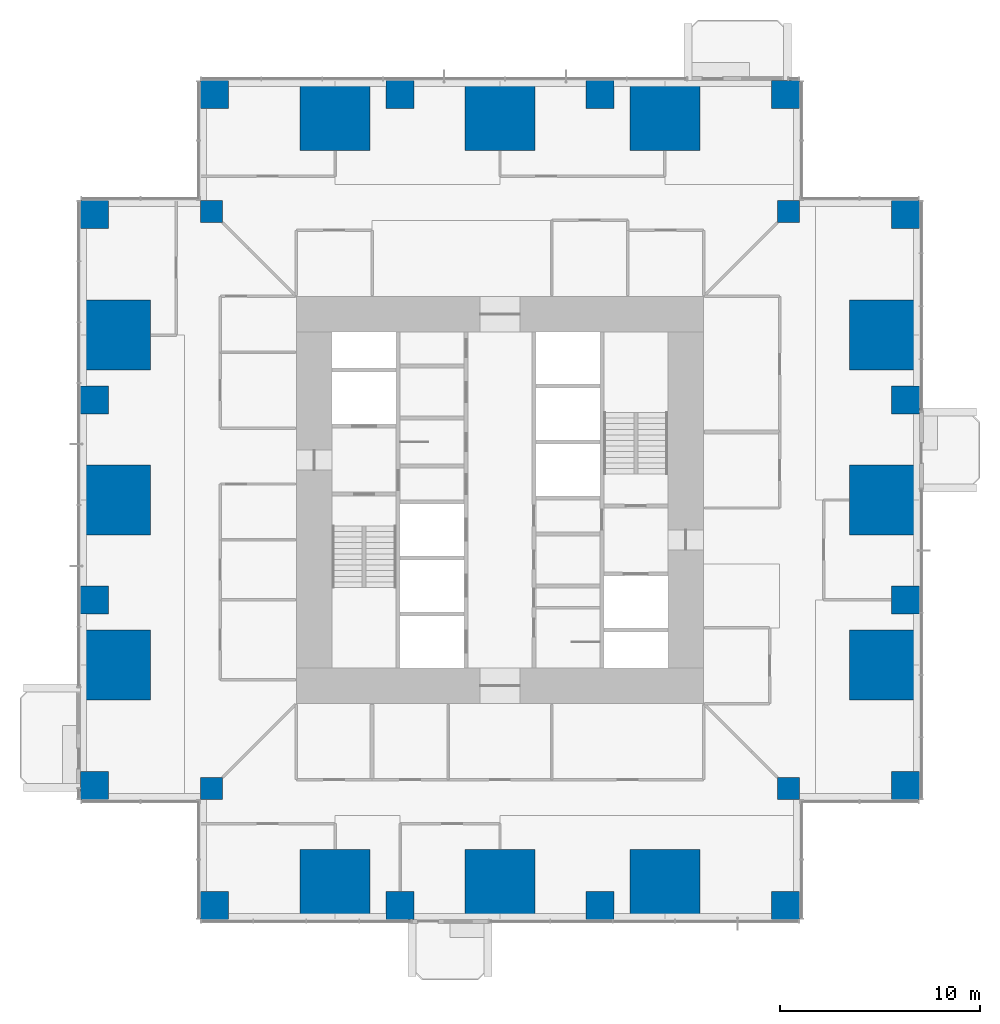
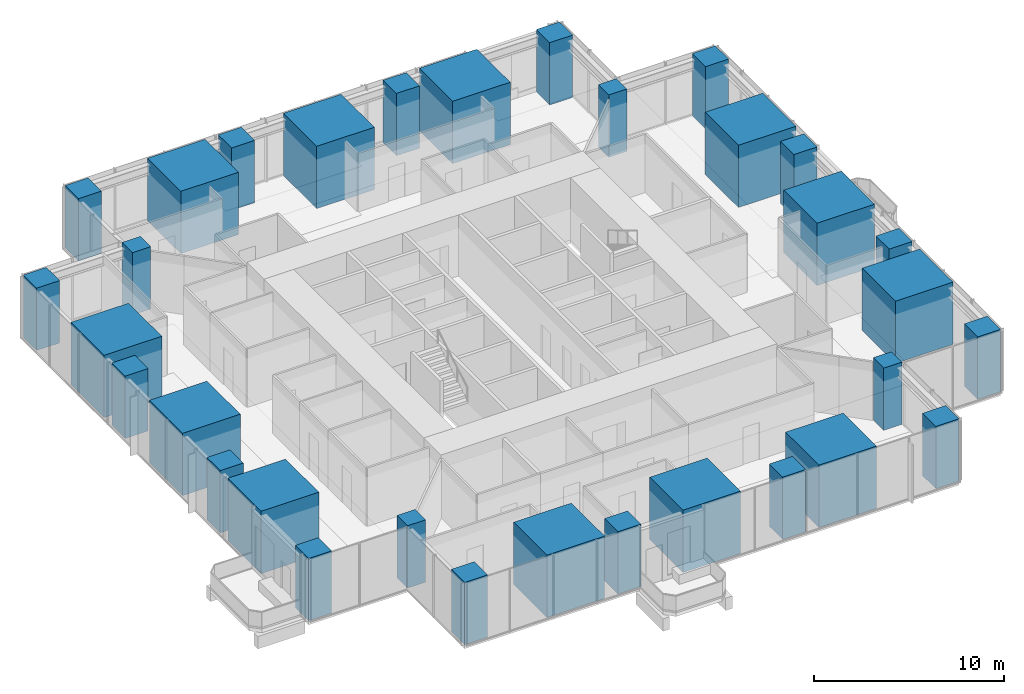
# One storey, part 1 of 17: 32 columns.
"""IFC4 building model written with IfcOpenShell, lengths in metres."""

from ifc_helpers import new_model, si_unit, direction, frame, origin, origin_2d, place, context, subcontext, project, spatial, rectangle, extrude, material, material_profile, profile_set, type_object, element, save


model = new_model("IFC4")

# Units and contexts
model_context = context("Model", 3, precision=1e-05, world=origin(), true_north=direction((0.0, 1.0)))
body_context = subcontext(model_context, "Body", "Model", "MODEL_VIEW")
ifc_project = project(units=[si_unit("LENGTHUNIT", "METRE"), si_unit("AREAUNIT", "SQUARE_METRE"), si_unit("VOLUMEUNIT", "CUBIC_METRE"), si_unit("PLANEANGLEUNIT", "RADIAN"), si_unit("MASSUNIT", "GRAM", prefix="KILO")], contexts=[model_context])

# Site, building, storey
site_placement = place(None, origin())
site = spatial("IfcSite", under=ifc_project, at=site_placement, CompositionType="ELEMENT")
building_placement = place(site_placement, origin())
building = spatial("IfcBuilding", under=site, at=building_placement, Name="Svetlomir Tower", CompositionType="ELEMENT")
storey_placement = place(building_placement, frame((0.0, 0.0, 70.5)))
storey = spatial("IfcBuildingStorey", under=building, at=storey_placement, Name="L16", CompositionType="ELEMENT", Elevation=70.5)

# Columns
ifc_material_1 = material(Name="Concrete C60/75", Category="concrete")
ifc_material_profile_1 = material_profile(ifc_material_1, rectangle(XDim=1.10009765625, YDim=1.10009765625, at=origin_2d()), Name="RC 1100x1100")
ifc_profile_set_1 = profile_set([ifc_material_profile_1], Name="Concrete C60/75")
column_type_1 = type_object("IfcColumnType", Name="COLUMN RC 1100x1100", PredefinedType="COLUMN", material=ifc_profile_set_1)
for number, where, z_axis, x_axis, name in (
    (1, (6.550048828125, 6.550048828125, 0.0), (0.0, 0.0, 1.0), (1.0, 0.0, 0.0), "Column 6/6 L16"),
    (2, (35.449951171875, 6.550048828125, 0.0), (0.0, 0.0, 1.0), (1.0, 0.0, 0.0), "Column 36/6 L16"),
    (3, (6.550048828125, 35.449951171875, 0.0), (0.0, 0.0, 1.0), (1.0, 0.0, 0.0), "Column 6/36 L16"),
    (4, (35.449951171875, 35.449951171875, 0.0), (0.0, 0.0, 1.0), (1.0, 0.0, 0.0), "Column 36/36 L16"),
):
    element("IfcColumn", number, at=place(storey_placement, frame(where, z_axis=z_axis, x_axis=x_axis)), inside=storey, type_object=column_type_1, Name=name, PredefinedType="COLUMN", context=body_context, shape_type="SweptSolid", body=[
        extrude(rectangle(XDim=1.10009765625, YDim=1.10009765625, at=origin_2d()), origin(), (0.0, 0.0, 1.0), 4.0),
    ])
ifc_material_2 = material(Name="Concrete C60/75", Category="concrete")
ifc_material_profile_2 = material_profile(ifc_material_2, rectangle(XDim=1.39990234375, YDim=1.39990234375, at=origin_2d()), Name="RC 1400x1400")
ifc_profile_set_2 = profile_set([ifc_material_profile_2], Name="Concrete C60/75")
column_type_2 = type_object("IfcColumnType", Name="COLUMN RC 1400x1400", PredefinedType="COLUMN", material=ifc_profile_set_2)
for number, where, z_axis, x_axis, name in (
    (5, (6.699951171875, 0.699951171875, 0.0), (0.0, 0.0, 1.0), (1.0, 0.0, 0.0), "Column 6/0 L16"),
    (6, (16.0, 0.699951171875, 0.0), (0.0, 0.0, 1.0), (1.0, 0.0, 0.0), "Column 16/0 L16"),
    (7, (26.0, 0.699951171875, 0.0), (0.0, 0.0, 1.0), (1.0, 0.0, 0.0), "Column 26/0 L16"),
    (8, (35.300048828125, 0.699951171875, 0.0), (0.0, 0.0, 1.0), (1.0, 0.0, 0.0), "Column 36/0 L16"),
    (9, (0.699951171875, 6.699951171875, 0.0), (0.0, 0.0, 1.0), (1.0, 0.0, 0.0), "Column 0/6 L16"),
    (10, (41.300048828125, 6.699951171875, 0.0), (0.0, 0.0, 1.0), (1.0, 0.0, 0.0), "Column 42/6 L16"),
    (11, (0.699951171875, 16.0, 0.0), (0.0, 0.0, 1.0), (1.0, 0.0, 0.0), "Column 0/16 L16"),
    (12, (41.300048828125, 16.0, 0.0), (0.0, 0.0, 1.0), (1.0, 0.0, 0.0), "Column 42/16 L16"),
    (13, (0.699951171875, 26.0, 0.0), (0.0, 0.0, 1.0), (1.0, 0.0, 0.0), "Column 0/26 L16"),
    (14, (41.300048828125, 26.0, 0.0), (0.0, 0.0, 1.0), (1.0, 0.0, 0.0), "Column 42/26 L16"),
    (15, (0.699951171875, 35.300048828125, 0.0), (0.0, 0.0, 1.0), (1.0, 0.0, 0.0), "Column 0/36 L16"),
    (16, (41.300048828125, 35.300048828125, 0.0), (0.0, 0.0, 1.0), (1.0, 0.0, 0.0), "Column 42/36 L16"),
    (17, (6.699951171875, 41.300048828125, 0.0), (0.0, 0.0, 1.0), (1.0, 0.0, 0.0), "Column 6/42 L16"),
    (18, (16.0, 41.300048828125, 0.0), (0.0, 0.0, 1.0), (1.0, 0.0, 0.0), "Column 16/42 L16"),
    (19, (26.0, 41.300048828125, 0.0), (0.0, 0.0, 1.0), (1.0, 0.0, 0.0), "Column 26/42 L16"),
    (20, (35.300048828125, 41.300048828125, 0.0), (0.0, 0.0, 1.0), (1.0, 0.0, 0.0), "Column 36/42 L16"),
):
    element("IfcColumn", number, at=place(storey_placement, frame(where, z_axis=z_axis, x_axis=x_axis)), inside=storey, type_object=column_type_2, Name=name, PredefinedType="COLUMN", context=body_context, shape_type="SweptSolid", body=[
        extrude(rectangle(XDim=1.39990234375, YDim=1.39990234375, at=origin_2d()), origin(), (0.0, 0.0, 1.0), 4.0),
    ])
ifc_material_3 = material(Name="Concrete C60/75", Category="concrete")
ifc_material_profile_3 = material_profile(ifc_material_3, rectangle(XDim=3.5, YDim=3.5, at=origin_2d()), Name="RC 3500x3500")
ifc_profile_set_3 = profile_set([ifc_material_profile_3], Name="Concrete C60/75")
column_type_3 = type_object("IfcColumnType", Name="COLUMN RC 3500x3500", PredefinedType="COLUMN", material=ifc_profile_set_3)
for number, where, z_axis, x_axis, name in (
    (21, (12.75, 1.75, 0.0), (0.0, 0.0, 1.0), (1.0, 0.0, 0.0), "Column 11/0 L16"),
    (22, (21.0, 1.75, 0.0), (0.0, 0.0, 1.0), (1.0, 0.0, 0.0), "Column 21/0 L16"),
    (23, (29.25, 1.75, 0.0), (0.0, 0.0, 1.0), (1.0, 0.0, 0.0), "Column 31/0 L16"),
    (24, (1.75, 12.75, 0.0), (0.0, 0.0, 1.0), (1.0, 0.0, 0.0), "Column 0/11 L16"),
    (25, (40.25, 12.75, 0.0), (0.0, 0.0, 1.0), (1.0, 0.0, 0.0), "Column 42/11 L16"),
    (26, (1.75, 21.0, 0.0), (0.0, 0.0, 1.0), (1.0, 0.0, 0.0), "Column 0/21 L16"),
    (27, (40.25, 21.0, 0.0), (0.0, 0.0, 1.0), (1.0, 0.0, 0.0), "Column 42/21 L16"),
    (28, (1.75, 29.25, 0.0), (0.0, 0.0, 1.0), (1.0, 0.0, 0.0), "Column 0/31 L16"),
    (29, (40.25, 29.25, 0.0), (0.0, 0.0, 1.0), (1.0, 0.0, 0.0), "Column 42/31 L16"),
    (30, (12.75, 40.25, 0.0), (0.0, 0.0, 1.0), (1.0, 0.0, 0.0), "Column 11/42 L16"),
    (31, (21.0, 40.25, 0.0), (0.0, 0.0, 1.0), (1.0, 0.0, 0.0), "Column 21/42 L16"),
    (32, (29.25, 40.25, 0.0), (0.0, 0.0, 1.0), (1.0, 0.0, 0.0), "Column 31/42 L16"),
):
    element("IfcColumn", number, at=place(storey_placement, frame(where, z_axis=z_axis, x_axis=x_axis)), inside=storey, type_object=column_type_3, Name=name, PredefinedType="COLUMN", context=body_context, shape_type="SweptSolid", body=[
        extrude(rectangle(XDim=3.5, YDim=3.5, at=origin_2d()), origin(), (0.0, 0.0, 1.0), 4.0),
    ])

save(model, "model.ifc")
